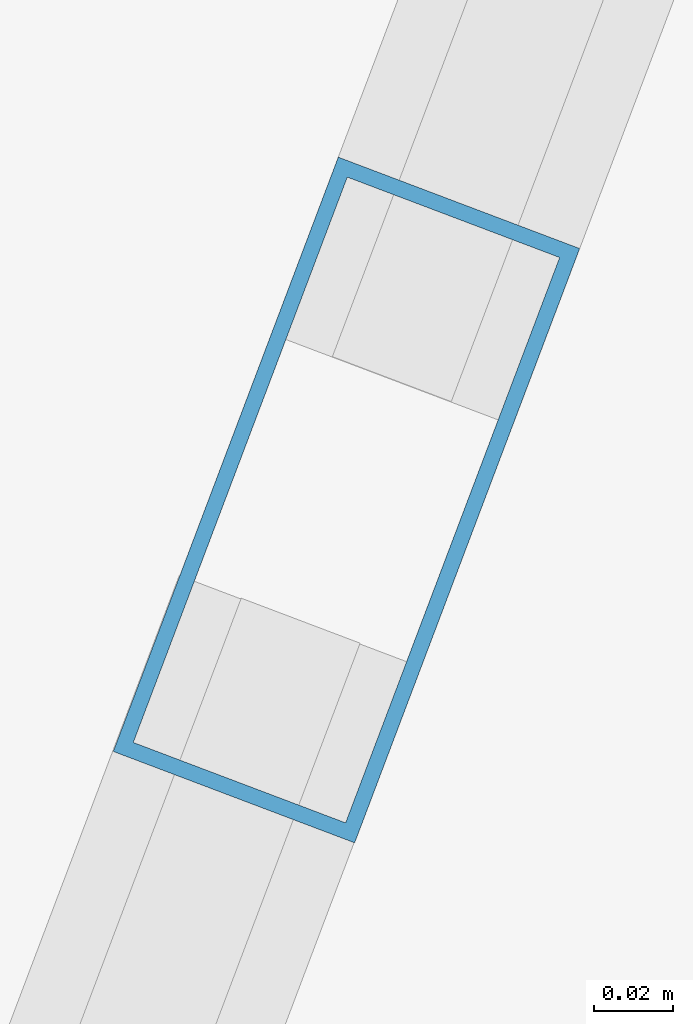
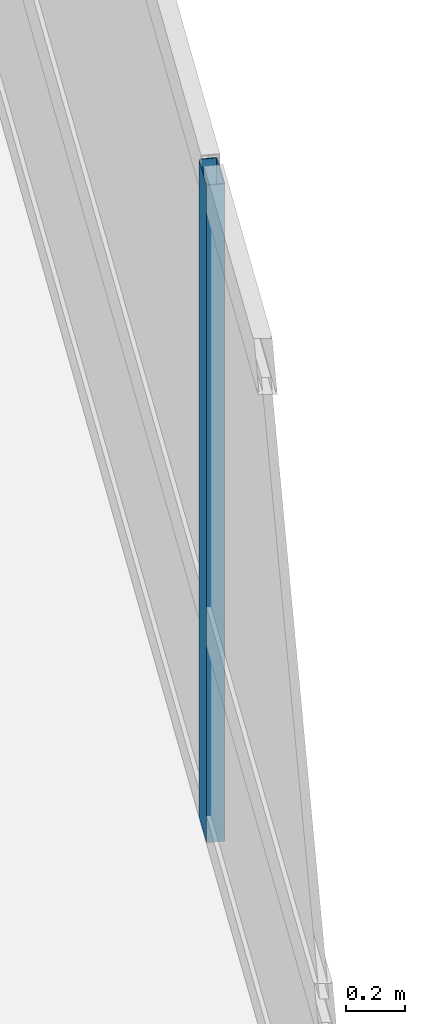
# One storey, part 13 of 24: 1 member, 1 element without a shape of its own.
"""IFC4 building model written with IfcOpenShell, lengths in metres."""

from ifc_helpers import new_model, si_unit, direction, frame, origin, origin_2d, place, context, subcontext, project, spatial, hollow_rectangle, extrude, material, layer, layer_set, material_profile, profile_set, type_object, element, aggregate, save


model = new_model("IFC4")

# Units and contexts
model_context = context("Model", 3, precision=1e-05, world=origin(), true_north=direction((0.0, 1.0)))
body_context = subcontext(model_context, "Body", "Model", "MODEL_VIEW")
ifc_project = project(units=[si_unit("LENGTHUNIT", "METRE"), si_unit("AREAUNIT", "SQUARE_METRE"), si_unit("VOLUMEUNIT", "CUBIC_METRE"), si_unit("PLANEANGLEUNIT", "RADIAN"), si_unit("MASSUNIT", "GRAM", prefix="KILO")], contexts=[model_context])

# Site, building, storey
site_placement = place(None, origin())
site = spatial("IfcSite", under=ifc_project, at=site_placement, CompositionType="ELEMENT")
building_placement = place(site_placement, origin())
building = spatial("IfcBuilding", under=site, at=building_placement, Name="Varnelok Gate Tower", CompositionType="ELEMENT")
storey_placement = place(building_placement, frame((0.0, 0.0, 87.300048828125)))
storey = spatial("IfcBuildingStorey", under=building, at=storey_placement, Name="L21", CompositionType="ELEMENT", Elevation=87.300048828125)

# Curtain wall, member
ifc_material = material(Name="Anodized Aluminum Alloy 6063-T6", Category="aluminium")
ifc_layer = layer(ifc_material, 0.179931640625)
ifc_layer_set = layer_set([ifc_layer], Name="Anodized Aluminum Alloy 6063-T6")
curtain_wall_type = type_object("IfcCurtainWallType", Name="CW3-HOTEL-VISION", PredefinedType="USERDEFINED", material=ifc_layer_set)
curtain_wall_placement = place(storey_placement, origin())
curtain_wall = element("IfcCurtainWall", 1, at=curtain_wall_placement, inside=storey, type_object=curtain_wall_type, Name="L21 East End Vision Curtain Wall", ObjectType="UNITISED CURTAIN WALL", PredefinedType="USERDEFINED")
ifc_material_profile = material_profile(ifc_material, hollow_rectangle(XDim=0.06494140625, YDim=0.159912109375, WallThickness=0.00390625, at=origin_2d()), Name="ALU160X65X4")
ifc_profile_set = profile_set([ifc_material_profile], Name="Anodized Aluminum Alloy 6063-T6")
member_type = type_object("IfcMemberType", Name="CW-MULL-160", PredefinedType="MULLION", material=ifc_profile_set)
member_placement = place(storey_placement, frame((77.8916015625, 22.26416015625, 0.0), z_axis=(0.0, 0.0, 1.0), x_axis=(0.935221323688, -0.354063660545, 0.0)))
member = element("IfcMember", 2, at=member_placement, type_object=member_type, Name="CW3 mullion 2", PredefinedType="MULLION", context=body_context, shape_type="SweptSolid", body=[
    extrude(hollow_rectangle(XDim=0.06494140625, YDim=0.159912109375, WallThickness=0.00390625, at=origin_2d()), origin(), (0.0, 0.0, 1.0), 2.72998046875),
])
aggregate(curtain_wall, [member])

save(model, "model.ifc")
